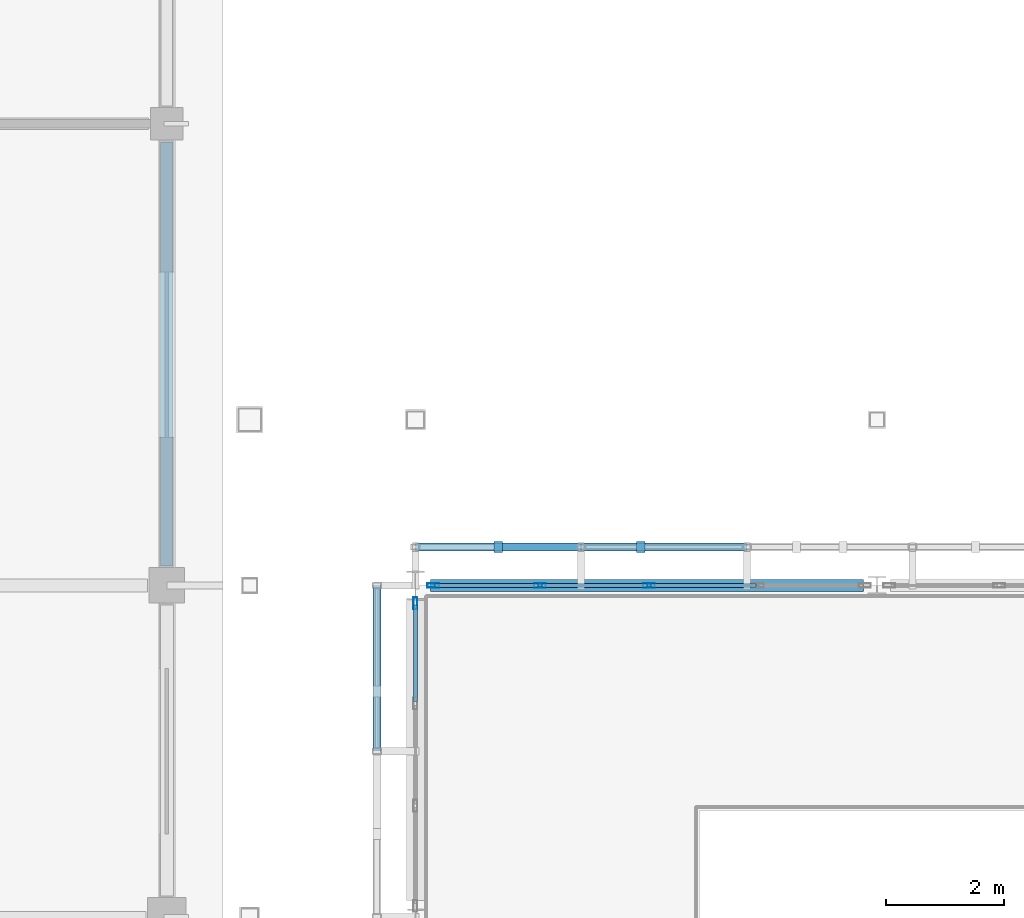
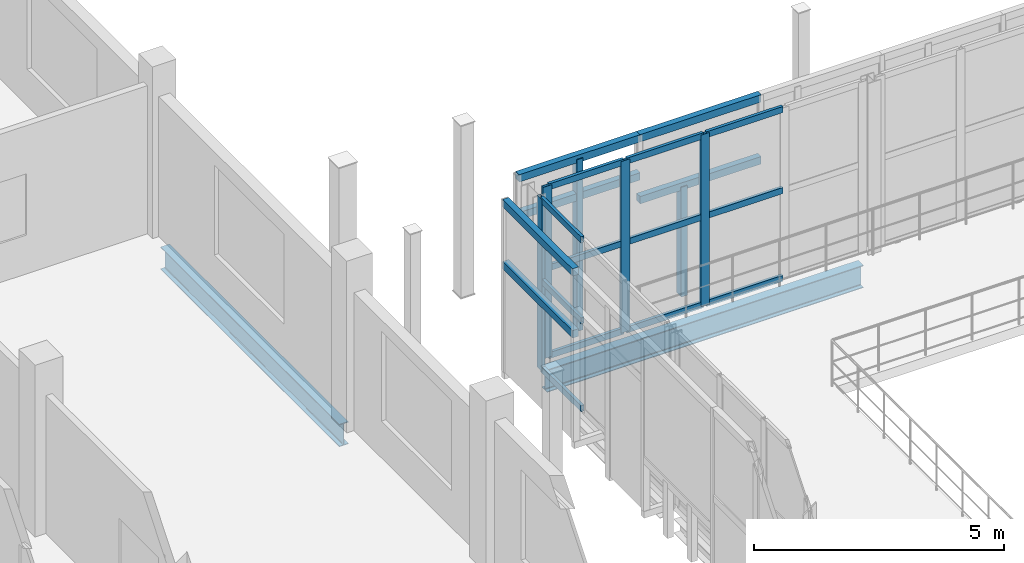
# One storey, part 43 of 121: 24 members, 2 beams, 2 elements without a shape of their own.
"""IFC4 building model written with IfcOpenShell, lengths in metres."""

from ifc_helpers import new_model, si_unit, direction, frame, origin, origin_2d, place, context, subcontext, project, spatial, rectangle, hollow_rectangle, i_section, extrude, material, layer, layer_set, material_profile, profile_set, type_object, element, aggregate, save


model = new_model("IFC4")

# Units and contexts
model_context = context("Model", 3, precision=1e-05, world=origin(), true_north=direction((0.0, 1.0)))
body_context = subcontext(model_context, "Body", "Model", "MODEL_VIEW")
ifc_project = project(units=[si_unit("LENGTHUNIT", "METRE"), si_unit("AREAUNIT", "SQUARE_METRE"), si_unit("VOLUMEUNIT", "CUBIC_METRE"), si_unit("PLANEANGLEUNIT", "RADIAN"), si_unit("MASSUNIT", "GRAM", prefix="KILO")], contexts=[model_context])

# Site, building, storey
site_placement = place(None, origin())
site = spatial("IfcSite", under=ifc_project, at=site_placement, CompositionType="ELEMENT")
building_placement = place(site_placement, origin())
building = spatial("IfcBuilding", under=site, at=building_placement, Name="Vinh Khe Railworks Police Headquarters", CompositionType="ELEMENT")
storey_placement = place(building_placement, frame((0.0, 0.0, 4.800048828125)))
storey = spatial("IfcBuildingStorey", under=building, at=storey_placement, Name="L01", CompositionType="ELEMENT", Elevation=4.800048828125)

# Members
ifc_material_1 = material(Name="Salvaged ironwood timber", Category="wood")
ifc_material_profile_1 = material_profile(ifc_material_1, rectangle(XDim=0.139892578125, YDim=0.179931640625, at=origin_2d()), Name="TIMBER 140x180")
ifc_profile_set_1 = profile_set([ifc_material_profile_1], Name="Salvaged ironwood timber")
member_type_1 = type_object("IfcMemberType", Name="MEM-QUILT-STILE", PredefinedType="CHORD", material=ifc_profile_set_1)
for number, where, z_axis, x_axis, name in (
    (1, (26.39990234375, 59.449951171875, 4.119873046875), (1.0, 0.0, 0.0), (0.0, 1.0, 0.0), "Salvaged Timber Quilt Transom N-L01-00-TOP"),
    (2, (26.39990234375, 59.449951171875, 3.19189453125), (1.0, 0.0, 0.0), (0.0, 1.0, 0.0), "Salvaged Timber Quilt Transom N-L01-00-M1"),
):
    element("IfcMember", number, at=place(storey_placement, frame(where, z_axis=z_axis, x_axis=x_axis)), inside=storey, type_object=member_type_1, Name=name, PredefinedType="CHORD", context=body_context, shape_type="SweptSolid", body=[
        extrude(rectangle(XDim=0.139892578125, YDim=0.179931640625, at=origin_2d()), origin(), (0.0, 0.0, 1.0), 2.800048828125),
    ])
member_1_placement = place(storey_placement, frame((27.800048828125, 59.449951171875, -0.080078125), z_axis=(0.0, 0.0, 1.0), x_axis=(1.0, 0.0, 0.0)))
element("IfcMember", 3, at=member_1_placement, inside=storey, type_object=member_type_1, Name="Salvaged Timber Quilt Stile N-L01-00-V1", PredefinedType="POST", context=body_context, shape_type="SweptSolid", body=[
    extrude(rectangle(XDim=0.139892578125, YDim=0.179931640625, at=origin_2d()), origin(), (0.0, 0.0, 1.0), 4.199951171875),
])
for number, where, z_axis, x_axis, name in (
    (4, (29.199951171875, 59.449951171875, 4.119873046875), (1.0, 0.0, 0.0), (0.0, 1.0, 0.0), "Salvaged Timber Quilt Transom N-L01-01-TOP"),
    (5, (29.199951171875, 59.449951171875, 2.60400390625), (1.0, 0.0, 0.0), (0.0, 1.0, 0.0), "Salvaged Timber Quilt Transom N-L01-01-M1"),
):
    element("IfcMember", number, at=place(storey_placement, frame(where, z_axis=z_axis, x_axis=x_axis)), inside=storey, type_object=member_type_1, Name=name, PredefinedType="CHORD", context=body_context, shape_type="SweptSolid", body=[
        extrude(rectangle(XDim=0.139892578125, YDim=0.179931640625, at=origin_2d()), origin(), (0.0, 0.0, 1.0), 2.800048828125),
    ])
member_2_placement = place(storey_placement, frame((30.2080078125, 59.449951171875, -0.080078125), z_axis=(0.0, 0.0, 1.0), x_axis=(1.0, 0.0, 0.0)))
element("IfcMember", 6, at=member_2_placement, inside=storey, type_object=member_type_1, Name="Salvaged Timber Quilt Stile N-L01-01-V1", PredefinedType="POST", context=body_context, shape_type="SweptSolid", body=[
    extrude(rectangle(XDim=0.139892578125, YDim=0.179931640625, at=origin_2d()), origin(), (0.0, 0.0, 1.0), 2.68408203125),
])
for number, where, z_axis, x_axis, name in (
    (7, (25.75, 56.0, 4.119873046875), (0.0, 1.0, 0.0), (-1.0, 0.0, 0.0), "Salvaged Timber Quilt Transom W-L01-11-TOP"),
    (8, (25.75, 56.0, 2.60400390625), (0.0, 1.0, 0.0), (-1.0, 0.0, 0.0), "Salvaged Timber Quilt Transom W-L01-11-M1"),
):
    element("IfcMember", number, at=place(storey_placement, frame(where, z_axis=z_axis, x_axis=x_axis)), inside=storey, type_object=member_type_1, Name=name, PredefinedType="CHORD", context=body_context, shape_type="SweptSolid", body=[
        extrude(rectangle(XDim=0.139892578125, YDim=0.179931640625, at=origin_2d()), origin(), (0.0, 0.0, 1.0), 2.800048828125),
    ])

# Curtain wall, members
ifc_material_2 = material(Name="Anodised aluminium and low-iron glass", Category="aluminium")
ifc_layer = layer(ifc_material_2, 0.179931640625)
ifc_layer_set = layer_set([ifc_layer], Name="Anodised aluminium and low-iron glass")
curtain_wall_type = type_object("IfcCurtainWallType", Name="CW-CUBE-UNIT", PredefinedType="USERDEFINED", material=ifc_layer_set)
curtain_wall_1_placement = place(storey_placement, origin())
curtain_wall_1 = element("IfcCurtainWall", 9, at=curtain_wall_1_placement, inside=storey, type_object=curtain_wall_type, Name="Entrance Hall Curtain Wall L01 N-1", ObjectType="UNITISED GLAZING", PredefinedType="USERDEFINED")
ifc_material_3 = material(Name="Anodised aluminium 6063-T6", Category="aluminium")
ifc_material_profile_2 = material_profile(ifc_material_3, hollow_rectangle(XDim=0.070068359375, YDim=0.199951171875, WallThickness=0.0048828125, at=origin_2d()), Name="CW-M 70x200x5")
ifc_profile_set_2 = profile_set([ifc_material_profile_2], Name="Anodised aluminium 6063-T6")
member_type_2 = type_object("IfcMemberType", Name="MULL-CWM-03", PredefinedType="MULLION", material=ifc_profile_set_2)
member_3_placement = place(storey_placement, frame((26.699951171875, 58.800048828125, 0.0), z_axis=(0.0, 0.0, 1.0), x_axis=(0.0, 1.0, 0.0)))
member_3 = element("IfcMember", 10, at=member_3_placement, type_object=member_type_2, Name="CW-01 mullion 1", PredefinedType="MULLION", context=body_context, shape_type="SweptSolid", body=[
    extrude(hollow_rectangle(XDim=0.070068359375, YDim=0.199951171875, WallThickness=0.0048828125, at=origin_2d()), origin(), (0.0, 0.0, 1.0), 4.199951171875),
])
member_4_placement = place(storey_placement, frame((28.50634765625, 58.800048828125, 0.0), z_axis=(0.0, 0.0, 1.0), x_axis=(0.0, 1.0, 0.0)))
member_4 = element("IfcMember", 11, at=member_4_placement, type_object=member_type_2, Name="CW-01 mullion 2", PredefinedType="MULLION", context=body_context, shape_type="SweptSolid", body=[
    extrude(hollow_rectangle(XDim=0.070068359375, YDim=0.199951171875, WallThickness=0.0048828125, at=origin_2d()), origin(), (0.0, 0.0, 1.0), 4.199951171875),
])
member_5_placement = place(storey_placement, frame((30.347412109375, 58.800048828125, 0.0), z_axis=(0.0, 0.0, 1.0), x_axis=(0.0, 1.0, 0.0)))
member_5 = element("IfcMember", 12, at=member_5_placement, type_object=member_type_2, Name="CW-01 mullion 3", PredefinedType="MULLION", context=body_context, shape_type="SweptSolid", body=[
    extrude(hollow_rectangle(XDim=0.070068359375, YDim=0.199951171875, WallThickness=0.0048828125, at=origin_2d()), origin(), (0.0, 0.0, 1.0), 4.199951171875),
])

# Curtain wall, member
curtain_wall_2_placement = place(storey_placement, origin())
curtain_wall_2 = element("IfcCurtainWall", 13, at=curtain_wall_2_placement, inside=storey, type_object=curtain_wall_type, Name="Entrance Hall Curtain Wall L01 W-6", ObjectType="UNITISED GLAZING", PredefinedType="USERDEFINED")
member_6_placement = place(storey_placement, frame((26.39990234375, 58.5, 0.0), z_axis=(0.0, 0.0, 1.0), x_axis=(-1.0, 0.0, 0.0)))
member_6 = element("IfcMember", 14, at=member_6_placement, type_object=member_type_2, Name="CW-01 mullion 4", PredefinedType="MULLION", context=body_context, shape_type="SweptSolid", body=[
    extrude(hollow_rectangle(XDim=0.070068359375, YDim=0.199951171875, WallThickness=0.0048828125, at=origin_2d()), origin(), (0.0, 0.0, 1.0), 4.199951171875),
])

# Beams
ifc_material_4 = material(Name="Steel S355JR", Category="steel")
ifc_material_profile_3 = material_profile(ifc_material_4, i_section(OverallWidth=0.2099609375, OverallDepth=0.550048828125, WebThickness=0.010986328125, FlangeThickness=0.01708984375, FilletRadius=0.02392578125, at=origin_2d()), Name="IPE 550")
ifc_profile_set_3 = profile_set([ifc_material_profile_3], Name="Steel S355JR")
beam_type = type_object("IfcBeamType", Name="Steel Girder IPE 550", PredefinedType="BEAM", material=ifc_profile_set_3)
beam_1_placement = place(storey_placement, frame((26.655029296875, 58.800048828125, -0.51513671875), z_axis=(1.0, 0.0, 0.0), x_axis=(0.0, 1.0, 0.0)))
element("IfcBeam", 15, at=beam_1_placement, inside=storey, type_object=beam_type, Name="Girder BM-L01-EW-SB-18-0460", PredefinedType="BEAM", context=body_context, shape_type="SweptSolid", body=[
    extrude(i_section(OverallWidth=0.2099609375, OverallDepth=0.550048828125, WebThickness=0.010986328125, FlangeThickness=0.01708984375, FilletRadius=0.02392578125, at=origin_2d()), origin(), (0.0, 0.0, 1.0), 7.31494140625),
])
beam_2_placement = place(storey_placement, frame((22.199951171875, 59.1298828125, -0.51513671875), z_axis=(0.0, 1.0, 0.0), x_axis=(-1.0, 0.0, 0.0)))
element("IfcBeam", 16, at=beam_2_placement, inside=storey, type_object=beam_type, Name="Girder BM-L01-NS-SB-18-0622", PredefinedType="BEAM", context=body_context, shape_type="SweptSolid", body=[
    extrude(i_section(OverallWidth=0.2099609375, OverallDepth=0.550048828125, WebThickness=0.010986328125, FlangeThickness=0.01708984375, FilletRadius=0.02392578125, at=origin_2d()), origin(), (0.0, 0.0, 1.0), 7.1650390625),
])

# Member
ifc_material_profile_4 = material_profile(ifc_material_3, hollow_rectangle(XDim=0.070068359375, YDim=0.14990234375, WallThickness=0.0048828125, at=origin_2d()), Name="CW-T 70x150x5")
ifc_profile_set_4 = profile_set([ifc_material_profile_4], Name="Anodised aluminium 6063-T6")
member_type_3 = type_object("IfcMemberType", Name="TRAN-CWT-03", PredefinedType="USERDEFINED", material=ifc_profile_set_4)
member_7_placement = place(storey_placement, frame((26.735107421875, 58.800048828125, 0.034912109375), z_axis=(1.0, 0.0, 0.0), x_axis=(0.0, 1.0, 0.0)))
member_7 = element("IfcMember", 17, at=member_7_placement, type_object=member_type_3, Name="CW-01 transom 1.1", ObjectType="TRANSOM", PredefinedType="USERDEFINED", context=body_context, shape_type="SweptSolid", body=[
    extrude(hollow_rectangle(XDim=0.070068359375, YDim=0.14990234375, WallThickness=0.0048828125, at=origin_2d()), origin(), (0.0, 0.0, 1.0), 1.736083984375),
])

member_8_placement = place(storey_placement, frame((26.735107421875, 58.800048828125, 2.183837890625), z_axis=(1.0, 0.0, 0.0), x_axis=(0.0, 1.0, 0.0)))
member_8 = element("IfcMember", 18, at=member_8_placement, type_object=member_type_3, Name="CW-01 transom 1.2", ObjectType="TRANSOM", PredefinedType="USERDEFINED", context=body_context, shape_type="SweptSolid", body=[
    extrude(hollow_rectangle(XDim=0.070068359375, YDim=0.14990234375, WallThickness=0.0048828125, at=origin_2d()), origin(), (0.0, 0.0, 1.0), 1.736083984375),
])

member_9_placement = place(storey_placement, frame((26.735107421875, 58.800048828125, 4.1650390625), z_axis=(1.0, 0.0, 0.0), x_axis=(0.0, 1.0, 0.0)))
member_9 = element("IfcMember", 19, at=member_9_placement, type_object=member_type_3, Name="CW-01 transom 1.3", ObjectType="TRANSOM", PredefinedType="USERDEFINED", context=body_context, shape_type="SweptSolid", body=[
    extrude(hollow_rectangle(XDim=0.070068359375, YDim=0.14990234375, WallThickness=0.0048828125, at=origin_2d()), origin(), (0.0, 0.0, 1.0), 1.736083984375),
])

member_10_placement = place(storey_placement, frame((28.541259765625, 58.800048828125, 0.034912109375), z_axis=(1.0, 0.0, 0.0), x_axis=(0.0, 1.0, 0.0)))
member_10 = element("IfcMember", 20, at=member_10_placement, type_object=member_type_3, Name="CW-01 transom 2.1", ObjectType="TRANSOM", PredefinedType="USERDEFINED", context=body_context, shape_type="SweptSolid", body=[
    extrude(hollow_rectangle(XDim=0.070068359375, YDim=0.14990234375, WallThickness=0.0048828125, at=origin_2d()), origin(), (0.0, 0.0, 1.0), 1.771240234375),
])

member_11_placement = place(storey_placement, frame((28.541259765625, 58.800048828125, 2.183837890625), z_axis=(1.0, 0.0, 0.0), x_axis=(0.0, 1.0, 0.0)))
member_11 = element("IfcMember", 21, at=member_11_placement, type_object=member_type_3, Name="CW-01 transom 2.2", ObjectType="TRANSOM", PredefinedType="USERDEFINED", context=body_context, shape_type="SweptSolid", body=[
    extrude(hollow_rectangle(XDim=0.070068359375, YDim=0.14990234375, WallThickness=0.0048828125, at=origin_2d()), origin(), (0.0, 0.0, 1.0), 1.771240234375),
])

member_12_placement = place(storey_placement, frame((28.541259765625, 58.800048828125, 4.1650390625), z_axis=(1.0, 0.0, 0.0), x_axis=(0.0, 1.0, 0.0)))
member_12 = element("IfcMember", 22, at=member_12_placement, type_object=member_type_3, Name="CW-01 transom 2.3", ObjectType="TRANSOM", PredefinedType="USERDEFINED", context=body_context, shape_type="SweptSolid", body=[
    extrude(hollow_rectangle(XDim=0.070068359375, YDim=0.14990234375, WallThickness=0.0048828125, at=origin_2d()), origin(), (0.0, 0.0, 1.0), 1.771240234375),
])

member_13_placement = place(storey_placement, frame((30.382568359375, 58.800048828125, 0.034912109375), z_axis=(1.0, 0.0, 0.0), x_axis=(0.0, 1.0, 0.0)))
member_13 = element("IfcMember", 23, at=member_13_placement, type_object=member_type_3, Name="CW-01 transom 3.1", ObjectType="TRANSOM", PredefinedType="USERDEFINED", context=body_context, shape_type="SweptSolid", body=[
    extrude(hollow_rectangle(XDim=0.070068359375, YDim=0.14990234375, WallThickness=0.0048828125, at=origin_2d()), origin(), (0.0, 0.0, 1.0), 1.771240234375),
])

member_14_placement = place(storey_placement, frame((30.382568359375, 58.800048828125, 2.183837890625), z_axis=(1.0, 0.0, 0.0), x_axis=(0.0, 1.0, 0.0)))
member_14 = element("IfcMember", 24, at=member_14_placement, type_object=member_type_3, Name="CW-01 transom 3.2", ObjectType="TRANSOM", PredefinedType="USERDEFINED", context=body_context, shape_type="SweptSolid", body=[
    extrude(hollow_rectangle(XDim=0.070068359375, YDim=0.14990234375, WallThickness=0.0048828125, at=origin_2d()), origin(), (0.0, 0.0, 1.0), 1.771240234375),
])

member_15_placement = place(storey_placement, frame((30.382568359375, 58.800048828125, 4.1650390625), z_axis=(1.0, 0.0, 0.0), x_axis=(0.0, 1.0, 0.0)))
member_15 = element("IfcMember", 25, at=member_15_placement, type_object=member_type_3, Name="CW-01 transom 3.3", ObjectType="TRANSOM", PredefinedType="USERDEFINED", context=body_context, shape_type="SweptSolid", body=[
    extrude(hollow_rectangle(XDim=0.070068359375, YDim=0.14990234375, WallThickness=0.0048828125, at=origin_2d()), origin(), (0.0, 0.0, 1.0), 1.771240234375),
])

aggregate(curtain_wall_1, [member_3, member_4, member_5, member_7, member_8, member_9, member_10, member_11, member_12, member_13, member_14, member_15])

member_16_placement = place(storey_placement, frame((26.39990234375, 56.841552734375, 0.034912109375), z_axis=(0.0, 1.0, 0.0), x_axis=(-1.0, 0.0, 0.0)))
member_16 = element("IfcMember", 26, at=member_16_placement, type_object=member_type_3, Name="CW-01 transom 3.1", ObjectType="TRANSOM", PredefinedType="USERDEFINED", context=body_context, shape_type="SweptSolid", body=[
    extrude(hollow_rectangle(XDim=0.070068359375, YDim=0.14990234375, WallThickness=0.0048828125, at=origin_2d()), origin(), (0.0, 0.0, 1.0), 1.62353515625),
])

member_17_placement = place(storey_placement, frame((26.39990234375, 56.841552734375, 2.183837890625), z_axis=(0.0, 1.0, 0.0), x_axis=(-1.0, 0.0, 0.0)))
member_17 = element("IfcMember", 27, at=member_17_placement, type_object=member_type_3, Name="CW-01 transom 3.2", ObjectType="TRANSOM", PredefinedType="USERDEFINED", context=body_context, shape_type="SweptSolid", body=[
    extrude(hollow_rectangle(XDim=0.070068359375, YDim=0.14990234375, WallThickness=0.0048828125, at=origin_2d()), origin(), (0.0, 0.0, 1.0), 1.62353515625),
])

member_18_placement = place(storey_placement, frame((26.39990234375, 56.841552734375, 4.1650390625), z_axis=(0.0, 1.0, 0.0), x_axis=(-1.0, 0.0, 0.0)))
member_18 = element("IfcMember", 28, at=member_18_placement, type_object=member_type_3, Name="CW-01 transom 3.3", ObjectType="TRANSOM", PredefinedType="USERDEFINED", context=body_context, shape_type="SweptSolid", body=[
    extrude(hollow_rectangle(XDim=0.070068359375, YDim=0.14990234375, WallThickness=0.0048828125, at=origin_2d()), origin(), (0.0, 0.0, 1.0), 1.62353515625),
])

aggregate(curtain_wall_2, [member_6, member_16, member_17, member_18])

save(model, "model.ifc")
